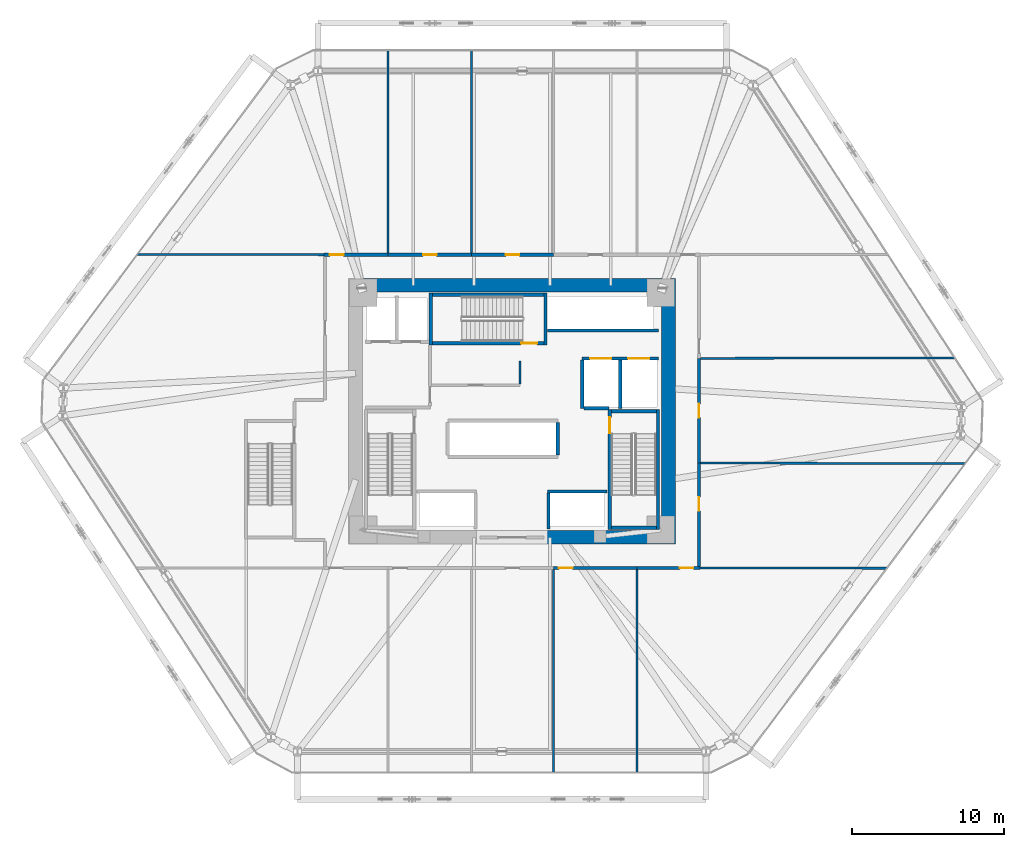
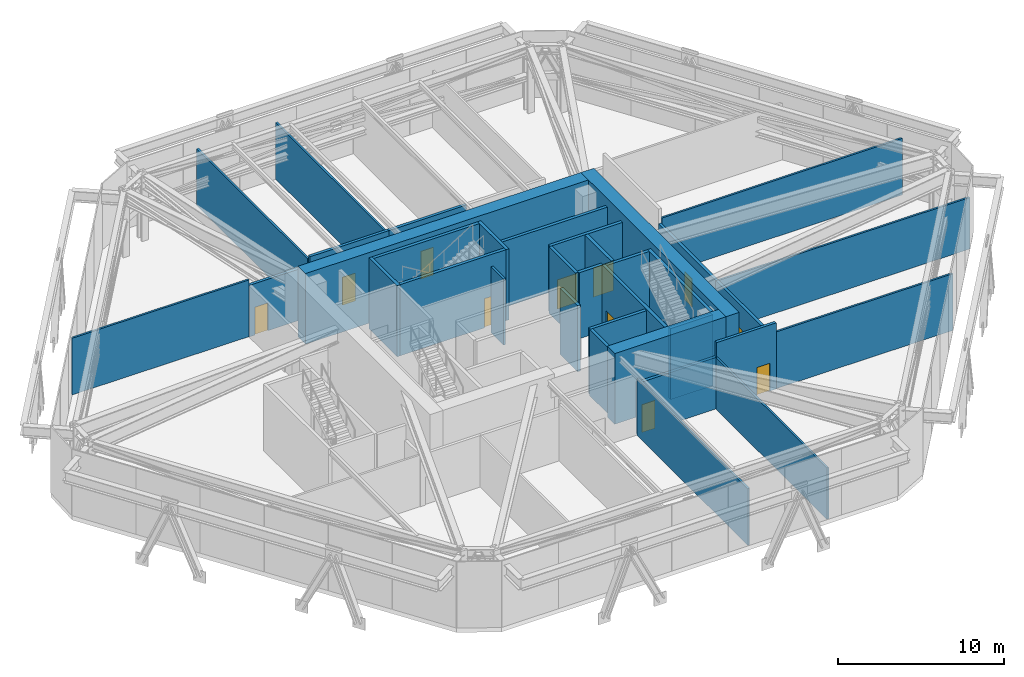
# One storey, part 14 of 16: 35 walls, 11 doors, 11 openings.
"""IFC4 building model written with IfcOpenShell, lengths in metres."""

from ifc_helpers import new_model, si_unit, direction, frame, frame_2d, origin, place, context, subcontext, project, spatial, rectangle, extrude, source, transform, mapped, material, layer, layer_set, type_object, type_shapes, element, fill, save


model = new_model("IFC4")

# Units and contexts
model_context = context("Model", 3, precision=1e-05, world=origin(), true_north=direction((0.0, 1.0)))
body_context = subcontext(model_context, "Body", "Model", "MODEL_VIEW")
ifc_project = project(units=[si_unit("LENGTHUNIT", "METRE"), si_unit("AREAUNIT", "SQUARE_METRE"), si_unit("VOLUMEUNIT", "CUBIC_METRE"), si_unit("PLANEANGLEUNIT", "RADIAN"), si_unit("MASSUNIT", "GRAM", prefix="KILO")], contexts=[model_context])

# Site, building, storey
site_placement = place(None, origin())
site = spatial("IfcSite", under=ifc_project, at=site_placement, CompositionType="ELEMENT")
building_placement = place(site_placement, origin())
building = spatial("IfcBuilding", under=site, at=building_placement, Name="Durnholm Broadcast Tower", CompositionType="ELEMENT")
storey_placement = place(building_placement, frame((0.0, 0.0, 10.39990234375)))
storey = spatial("IfcBuildingStorey", under=building, at=storey_placement, Name="L02", CompositionType="ELEMENT", Elevation=10.39990234375)

# Walls
ifc_material_1 = material(Name="Concrete C70/85", Category="concrete")
ifc_layer_1 = layer(ifc_material_1, 0.89990234375)
ifc_layer_set_1 = layer_set([ifc_layer_1], Name="Concrete C70/85")
wall_type_1 = type_object("IfcWallType", Name="WALL-CW-900", PredefinedType="SHEAR", material=ifc_layer_set_1)
wall_1_placement = place(storey_placement, frame((10.300048828125, -8.75, 0.0), z_axis=(0.0, 0.0, 1.0), x_axis=(0.0, 1.0, 0.0)))
element("IfcWall", 1, at=wall_1_placement, inside=storey, type_object=wall_type_1, Name="L02 central core shear wall CW-EAST", PredefinedType="SHEAR", context=body_context, shape_type="SweptSolid", body=[
    extrude(rectangle(XDim=17.5, YDim=0.89990234375, at=frame_2d((8.75, 0.0))), origin(), (0.0, 0.0, 1.0), 5.2001953125),
])
wall_2_placement = place(storey_placement, frame((2.10009765625, -8.300048828125, 0.0), z_axis=(0.0, 0.0, 1.0), x_axis=(1.0, 0.0, 0.0)))
element("IfcWall", 2, at=wall_2_placement, inside=storey, type_object=wall_type_1, Name="L02 central core shear wall CW-S2", PredefinedType="SHEAR", context=body_context, shape_type="SweptSolid", body=[
    extrude(rectangle(XDim=7.75, YDim=0.89990234375, at=frame_2d((3.875, 0.0))), origin(), (0.0, 0.0, 1.0), 5.2001953125),
])
wall_3_placement = place(storey_placement, frame((-9.85009765625, 8.300048828125, 0.0), z_axis=(0.0, 0.0, 1.0), x_axis=(1.0, 0.0, 0.0)))
element("IfcWall", 3, at=wall_3_placement, inside=storey, type_object=wall_type_1, Name="L02 central core shear wall CW-N", PredefinedType="SHEAR", context=body_context, shape_type="SweptSolid", body=[
    extrude(rectangle(XDim=19.7001953125, YDim=0.89990234375, at=frame_2d((9.85009765625, 0.0))), origin(), (0.0, 0.0, 1.0), 5.2001953125),
])

# Wall, opening, door
ifc_material_2 = material(Name="Fire-Rated Gypsum Shaftwall", Category="concrete")
ifc_layer_2 = layer(ifc_material_2, 0.199951171875)
ifc_layer_set_2 = layer_set([ifc_layer_2], Name="Fire-Rated Gypsum Shaftwall")
wall_type_2 = type_object("IfcWallType", Name="WALL-LOB-200", PredefinedType="SOLIDWALL", material=ifc_layer_set_2)
wall_4_placement = place(storey_placement, frame((-8.159912109375, 10.31005859375, 0.0), z_axis=(0.0, 0.0, 1.0), x_axis=(-1.0, 0.0, 0.0)))
wall_4 = element("IfcWall", 4, at=wall_4_placement, inside=storey, type_object=wall_type_2, Name="L02 Mechanical Plant Room - Chilled Water Heat Exchanger corridor partition", PredefinedType="SOLIDWALL", context=body_context, shape_type="SweptSolid", body=[
    extrude(rectangle(XDim=4.22998046875, YDim=0.199951171875, at=frame_2d((2.114990234375, 0.0))), origin(), (0.0, 0.0, 1.0), 3.787109375),
])
opening_1_placement = place(wall_4_placement, frame((2.929931640625, 0.0, 0.0)))
opening_1 = element("IfcOpeningElement", 5, at=opening_1_placement, cuts=wall_4, Name="Opening DC-60R", PredefinedType="OPENING", context=body_context, shape_type="SweptSolid", body=[
    extrude(rectangle(XDim=0.89990234375, YDim=2.050048828125, at=frame_2d((0.449951171875, 1.02490234375))), frame((0.0, 0.10986328125, 0.0), z_axis=(0.0, -1.0, 0.0), x_axis=(1.0, 0.0, 0.0)), (0.0, 0.0, 1.0), 0.219970703125),
])
ifc_material_3 = material(Name="Fire-Rated Core Service Door", Category="steel")
ifc_layer_3 = layer(ifc_material_3, 0.050048828125)
ifc_layer_set_3 = layer_set([ifc_layer_3], Name="Fire-Rated Core Service Door")
door_type_1 = type_object("IfcDoorType", Name="DOOR-CORE-FD60-R", OperationType="NOTDEFINED", PredefinedType="DOOR", material=ifc_layer_set_3)
shared_shape_1 = source(origin(), body_context, "Body", "SweptSolid", [
    extrude(rectangle(XDim=0.89990234375, YDim=2.050048828125, at=frame_2d((0.449951171875, 1.02490234375))), frame((0.0, 0.02490234375, 0.0), z_axis=(0.0, -1.0, 0.0), x_axis=(1.0, 0.0, 0.0)), (0.0, 0.0, 1.0), 0.050048828125),
])
type_shapes(door_type_1, [shared_shape_1])
door_1_placement = place(opening_1_placement, origin())
door_1 = element("IfcDoor", 6, at=door_1_placement, inside=storey, type_object=door_type_1, Name="L02 Mechanical Plant Room - Chilled Water Heat Exchanger entrance door", OperationType="SINGLE_SWING_RIGHT", OverallHeight=2.050048828125, OverallWidth=0.89990234375, PredefinedType="DOOR", context=body_context, shape_type="MappedRepresentation", body=[
    mapped(shared_shape_1, transform((0.0, 0.0, 0.0), x_axis=(1.0, 0.0, 0.0), y_axis=(0.0, 1.0, 0.0), z_axis=(0.0, 0.0, 1.0), scale=1.0)),
])
fill(opening_1, door_1)

wall_5_placement = place(storey_placement, frame((-2.659912109375, 10.31005859375, 0.0), z_axis=(0.0, 0.0, 1.0), x_axis=(-1.0, 0.0, 0.0)))
wall_5 = element("IfcWall", 7, at=wall_5_placement, inside=storey, type_object=wall_type_2, Name="L02 Mechanical Plant Room - Dedicated Outdoor Air Handling corridor partition", PredefinedType="SOLIDWALL", context=body_context, shape_type="SweptSolid", body=[
    extrude(rectangle(XDim=5.5, YDim=0.199951171875, at=frame_2d((2.75, 0.0))), origin(), (0.0, 0.0, 1.0), 4.417724609375),
])
opening_2_placement = place(wall_5_placement, frame((2.300048828125, 0.0, 0.0)))
opening_2 = element("IfcOpeningElement", 8, at=opening_2_placement, cuts=wall_5, Name="Opening DC-60L", PredefinedType="OPENING", context=body_context, shape_type="SweptSolid", body=[
    extrude(rectangle(XDim=0.89990234375, YDim=2.050048828125, at=frame_2d((0.449951171875, 1.02490234375))), frame((0.0, 0.10986328125, 0.0), z_axis=(0.0, -1.0, 0.0), x_axis=(1.0, 0.0, 0.0)), (0.0, 0.0, 1.0), 0.219970703125),
])
ifc_layer_4 = layer(ifc_material_3, 0.050048828125)
ifc_layer_set_4 = layer_set([ifc_layer_4], Name="Fire-Rated Core Service Door")
door_type_2 = type_object("IfcDoorType", Name="DOOR-CORE-FD60-L", OperationType="NOTDEFINED", PredefinedType="DOOR", material=ifc_layer_set_4)
shared_shape_2 = source(origin(), body_context, "Body", "SweptSolid", [
    extrude(rectangle(XDim=0.89990234375, YDim=2.050048828125, at=frame_2d((0.449951171875, 1.02490234375))), frame((0.0, 0.02490234375, 0.0), z_axis=(0.0, -1.0, 0.0), x_axis=(1.0, 0.0, 0.0)), (0.0, 0.0, 1.0), 0.050048828125),
])
type_shapes(door_type_2, [shared_shape_2])
door_2_placement = place(opening_2_placement, origin())
door_2 = element("IfcDoor", 9, at=door_2_placement, inside=storey, type_object=door_type_2, Name="L02 Mechanical Plant Room - Dedicated Outdoor Air Handling entrance door", OperationType="SINGLE_SWING_LEFT", OverallHeight=2.050048828125, OverallWidth=0.89990234375, PredefinedType="DOOR", context=body_context, shape_type="MappedRepresentation", body=[
    mapped(shared_shape_2, transform((0.0, 0.0, 0.0), x_axis=(1.0, 0.0, 0.0), y_axis=(0.0, 1.0, 0.0), z_axis=(0.0, 0.0, 1.0), scale=1.0)),
])
fill(opening_2, door_2)

wall_6_placement = place(storey_placement, frame((2.739990234375, 10.31005859375, 0.0), z_axis=(0.0, 0.0, 1.0), x_axis=(-1.0, 0.0, 0.0)))
wall_6 = element("IfcWall", 10, at=wall_6_placement, inside=storey, type_object=wall_type_2, Name="L02 Mechanical Plant Room - Condenser Water Pump Station corridor partition", PredefinedType="SOLIDWALL", context=body_context, shape_type="SweptSolid", body=[
    extrude(rectangle(XDim=5.39990234375, YDim=0.199951171875, at=frame_2d((2.699951171875, 0.0))), origin(), (0.0, 0.0, 1.0), 4.417724609375),
])
opening_3_placement = place(wall_6_placement, frame((2.25, 0.0, 0.0)))
opening_3 = element("IfcOpeningElement", 11, at=opening_3_placement, cuts=wall_6, Name="Opening DC-60R", PredefinedType="OPENING", context=body_context, shape_type="SweptSolid", body=[
    extrude(rectangle(XDim=0.89990234375, YDim=2.050048828125, at=frame_2d((0.449951171875, 1.02490234375))), frame((0.0, 0.10986328125, 0.0), z_axis=(0.0, -1.0, 0.0), x_axis=(1.0, 0.0, 0.0)), (0.0, 0.0, 1.0), 0.219970703125),
])
door_3_placement = place(opening_3_placement, origin())
door_3 = element("IfcDoor", 12, at=door_3_placement, inside=storey, type_object=door_type_1, Name="L02 Mechanical Plant Room - Condenser Water Pump Station entrance door", OperationType="SINGLE_SWING_RIGHT", OverallHeight=2.050048828125, OverallWidth=0.89990234375, PredefinedType="DOOR", context=body_context, shape_type="MappedRepresentation", body=[
    mapped(shared_shape_1, transform((0.0, 0.0, 0.0), x_axis=(1.0, 0.0, 0.0), y_axis=(0.0, 1.0, 0.0), z_axis=(0.0, 0.0, 1.0), scale=1.0)),
])
fill(opening_3, door_3)

wall_7_placement = place(storey_placement, frame((2.739990234375, -10.31005859375, 0.0), z_axis=(0.0, 0.0, 1.0), x_axis=(1.0, 0.0, 0.0)))
wall_7 = element("IfcWall", 13, at=wall_7_placement, inside=storey, type_object=wall_type_2, Name="L02 Mechanical Plant Room - Emergency Smoke Exhaust Fan corridor partition", PredefinedType="SOLIDWALL", context=body_context, shape_type="SweptSolid", body=[
    extrude(rectangle(XDim=5.5, YDim=0.199951171875, at=frame_2d((2.75, 0.0))), origin(), (0.0, 0.0, 1.0), 3.787109375),
])
opening_4_placement = place(wall_7_placement, frame((0.35009765625, 0.0, 0.0)))
opening_4 = element("IfcOpeningElement", 14, at=opening_4_placement, cuts=wall_7, Name="Opening DC-60R", PredefinedType="OPENING", context=body_context, shape_type="SweptSolid", body=[
    extrude(rectangle(XDim=0.89990234375, YDim=2.050048828125, at=frame_2d((0.449951171875, 1.02490234375))), frame((0.0, 0.10986328125, 0.0), z_axis=(0.0, -1.0, 0.0), x_axis=(1.0, 0.0, 0.0)), (0.0, 0.0, 1.0), 0.219970703125),
])
door_4_placement = place(opening_4_placement, origin())
door_4 = element("IfcDoor", 15, at=door_4_placement, inside=storey, type_object=door_type_1, Name="L02 Mechanical Plant Room - Emergency Smoke Exhaust Fan entrance door", OperationType="SINGLE_SWING_RIGHT", OverallHeight=2.050048828125, OverallWidth=0.89990234375, PredefinedType="DOOR", context=body_context, shape_type="MappedRepresentation", body=[
    mapped(shared_shape_1, transform((0.0, 0.0, 0.0), x_axis=(1.0, 0.0, 0.0), y_axis=(0.0, 1.0, 0.0), z_axis=(0.0, 0.0, 1.0), scale=1.0)),
])
fill(opening_4, door_4)

wall_8_placement = place(storey_placement, frame((8.239990234375, -10.31005859375, 0.0), z_axis=(0.0, 0.0, 1.0), x_axis=(1.0, 0.0, 0.0)))
wall_8 = element("IfcWall", 16, at=wall_8_placement, inside=storey, type_object=wall_type_2, Name="L02 Mechanical Plant Room - Fire Pump Control Plant corridor partition", PredefinedType="SOLIDWALL", context=body_context, shape_type="SweptSolid", body=[
    extrude(rectangle(XDim=4.14990234375, YDim=0.199951171875, at=frame_2d((2.074951171875, 0.0))), origin(), (0.0, 0.0, 1.0), 4.864990234375),
])
opening_5_placement = place(wall_8_placement, frame((2.81005859375, 0.0, 0.0)))
opening_5 = element("IfcOpeningElement", 17, at=opening_5_placement, cuts=wall_8, Name="Opening DC-60L", PredefinedType="OPENING", context=body_context, shape_type="SweptSolid", body=[
    extrude(rectangle(XDim=0.89990234375, YDim=2.050048828125, at=frame_2d((0.449951171875, 1.02490234375))), frame((0.0, 0.10986328125, 0.0), z_axis=(0.0, -1.0, 0.0), x_axis=(1.0, 0.0, 0.0)), (0.0, 0.0, 1.0), 0.219970703125),
])
door_5_placement = place(opening_5_placement, origin())
door_5 = element("IfcDoor", 18, at=door_5_placement, inside=storey, type_object=door_type_2, Name="L02 Mechanical Plant Room - Fire Pump Control Plant entrance door", OperationType="SINGLE_SWING_LEFT", OverallHeight=2.050048828125, OverallWidth=0.89990234375, PredefinedType="DOOR", context=body_context, shape_type="MappedRepresentation", body=[
    mapped(shared_shape_2, transform((0.0, 0.0, 0.0), x_axis=(1.0, 0.0, 0.0), y_axis=(0.0, 1.0, 0.0), z_axis=(0.0, 0.0, 1.0), scale=1.0)),
])
fill(opening_5, door_5)

wall_9_placement = place(storey_placement, frame((12.31005859375, -10.2060546875, 0.0), z_axis=(0.0, 0.0, 1.0), x_axis=(0.0, 1.0, 0.0)))
wall_9 = element("IfcWall", 19, at=wall_9_placement, inside=storey, type_object=wall_type_2, Name="L02 Mechanical Plant Room - East Switchgear Distribution corridor partition", PredefinedType="SOLIDWALL", context=body_context, shape_type="SweptSolid", body=[
    extrude(rectangle(XDim=6.796142578125, YDim=0.199951171875, at=frame_2d((3.39794921875, 0.0))), origin(), (0.0, 0.0, 1.0), 3.787109375),
])
opening_6_placement = place(wall_9_placement, frame((3.64990234375, 0.0, 0.0)))
opening_6 = element("IfcOpeningElement", 20, at=opening_6_placement, cuts=wall_9, Name="Opening DC-60R", PredefinedType="OPENING", context=body_context, shape_type="SweptSolid", body=[
    extrude(rectangle(XDim=0.89990234375, YDim=2.050048828125, at=frame_2d((0.449951171875, 1.02490234375))), frame((0.0, 0.10986328125, 0.0), z_axis=(0.0, -1.0, 0.0), x_axis=(1.0, 0.0, 0.0)), (0.0, 0.0, 1.0), 0.219970703125),
])
door_6_placement = place(opening_6_placement, origin())
door_6 = element("IfcDoor", 21, at=door_6_placement, inside=storey, type_object=door_type_1, Name="L02 Mechanical Plant Room - East Switchgear Distribution entrance door", OperationType="SINGLE_SWING_RIGHT", OverallHeight=2.050048828125, OverallWidth=0.89990234375, PredefinedType="DOOR", context=body_context, shape_type="MappedRepresentation", body=[
    mapped(shared_shape_1, transform((0.0, 0.0, 0.0), x_axis=(1.0, 0.0, 0.0), y_axis=(0.0, 1.0, 0.0), z_axis=(0.0, 0.0, 1.0), scale=1.0)),
])
fill(opening_6, door_6)

wall_10_placement = place(storey_placement, frame((12.31005859375, -3.409912109375, 0.0), z_axis=(0.0, 0.0, 1.0), x_axis=(0.0, 1.0, 0.0)))
wall_10 = element("IfcWall", 22, at=wall_10_placement, inside=storey, type_object=wall_type_2, Name="L02 Mechanical Plant Room - Telecom Cooling Plant corridor partition", PredefinedType="SOLIDWALL", context=body_context, shape_type="SweptSolid", body=[
    extrude(rectangle(XDim=6.89990234375, YDim=0.199951171875, at=frame_2d((3.449951171875, 0.0))), origin(), (0.0, 0.0, 1.0), 3.787109375),
])
opening_7_placement = place(wall_10_placement, frame((3.0, 0.0, 0.0)))
opening_7 = element("IfcOpeningElement", 23, at=opening_7_placement, cuts=wall_10, Name="Opening DC-60L", PredefinedType="OPENING", context=body_context, shape_type="SweptSolid", body=[
    extrude(rectangle(XDim=0.89990234375, YDim=2.050048828125, at=frame_2d((0.449951171875, 1.02490234375))), frame((0.0, 0.10986328125, 0.0), z_axis=(0.0, -1.0, 0.0), x_axis=(1.0, 0.0, 0.0)), (0.0, 0.0, 1.0), 0.219970703125),
])
door_7_placement = place(opening_7_placement, origin())
door_7 = element("IfcDoor", 24, at=door_7_placement, inside=storey, type_object=door_type_2, Name="L02 Mechanical Plant Room - Telecom Cooling Plant entrance door", OperationType="SINGLE_SWING_LEFT", OverallHeight=2.050048828125, OverallWidth=0.89990234375, PredefinedType="DOOR", context=body_context, shape_type="MappedRepresentation", body=[
    mapped(shared_shape_2, transform((0.0, 0.0, 0.0), x_axis=(1.0, 0.0, 0.0), y_axis=(0.0, 1.0, 0.0), z_axis=(0.0, 0.0, 1.0), scale=1.0)),
])
fill(opening_7, door_7)

# Walls
ifc_material_4 = material(Name="Gypsum Metal Stud Partition", Category="concrete")
ifc_layer_5 = layer(ifc_material_4, 0.135009765625)
ifc_layer_set_5 = layer_set([ifc_layer_5], Name="Gypsum Metal Stud Partition")
wall_type_3 = type_object("IfcWallType", Name="WALL-PART-135", PredefinedType="PARTITIONING", material=ifc_layer_set_5)
wall_11_placement = place(storey_placement, frame((-8.159912109375, 23.800048828125, 0.0), z_axis=(0.0, 0.0, 1.0), x_axis=(0.0, -1.0, 0.0)))
element("IfcWall", 25, at=wall_11_placement, inside=storey, type_object=wall_type_3, Name="L02 room dividing partition 2.3", PredefinedType="PARTITIONING", context=body_context, shape_type="SweptSolid", body=[
    extrude(rectangle(XDim=13.385986328125, YDim=0.135009765625, at=frame_2d((6.69287109375, 0.0))), origin(), (0.0, 0.0, 1.0), 4.174072265625),
])
wall_12_placement = place(storey_placement, frame((-12.389892578125, 10.310302734375, 0.0), z_axis=(0.0, 0.0, 1.0), x_axis=(-0.999998146559, 0.001925325425, 0.0)))
element("IfcWall", 26, at=wall_12_placement, inside=storey, type_object=wall_type_3, Name="L02 room dividing partition 2.15", PredefinedType="PARTITIONING", context=body_context, shape_type="SweptSolid", body=[
    extrude(rectangle(XDim=12.300048828125, YDim=0.135009765625, at=frame_2d((6.14990234375, 0.0))), origin(), (0.0, 0.0, 1.0), 4.174072265625),
])
for number, where, z_axis, x_axis, name in (
    (27, (-2.659912109375, 23.800048828125, 0.0), (0.0, 0.0, 1.0), (0.0, -1.0, 0.0), "L02 room dividing partition 3.4"),
    (28, (2.739990234375, -10.4140625, 0.0), (0.0, 0.0, 1.0), (0.0, -1.0, 0.0), "L02 room dividing partition 9.10"),
):
    element("IfcWall", number, at=place(storey_placement, frame(where, z_axis=z_axis, x_axis=x_axis)), inside=storey, type_object=wall_type_3, Name=name, PredefinedType="PARTITIONING", context=body_context, shape_type="SweptSolid", body=[
        extrude(rectangle(XDim=13.385986328125, YDim=0.135009765625, at=frame_2d((6.69287109375, 0.0))), origin(), (0.0, 0.0, 1.0), 4.174072265625),
    ])
wall_13_placement = place(storey_placement, frame((8.239990234375, -10.4140625, 0.0), z_axis=(0.0, 0.0, 1.0), x_axis=(0.0, -1.0, 0.0)))
element("IfcWall", 29, at=wall_13_placement, inside=storey, type_object=wall_type_3, Name="L02 room dividing partition 10.11", PredefinedType="PARTITIONING", context=body_context, shape_type="SweptSolid", body=[
    extrude(rectangle(XDim=13.385986328125, YDim=0.135009765625, at=frame_2d((6.69287109375, 0.0))), origin(), (0.0, 0.0, 1.0), 3.787109375),
])
wall_14_placement = place(storey_placement, frame((12.389892578125, -10.310302734375, 0.0), z_axis=(0.0, 0.0, 1.0), x_axis=(0.999998146559, -0.001925325425, 0.0)))
element("IfcWall", 30, at=wall_14_placement, inside=storey, type_object=wall_type_3, Name="L02 room dividing partition 11.12", PredefinedType="PARTITIONING", context=body_context, shape_type="SweptSolid", body=[
    extrude(rectangle(XDim=12.300048828125, YDim=0.135009765625, at=frame_2d((6.14990234375, 0.0))), origin(), (0.0, 0.0, 1.0), 4.174072265625),
])
wall_15_placement = place(storey_placement, frame((12.4140625, -3.41015625, 0.0), z_axis=(0.0, 0.0, 1.0), x_axis=(0.999999078008, -0.001357933567, 0.0)))
element("IfcWall", 31, at=wall_15_placement, inside=storey, type_object=wall_type_3, Name="L02 room dividing partition 12.13", PredefinedType="PARTITIONING", context=body_context, shape_type="SweptSolid", body=[
    extrude(rectangle(XDim=17.439453125, YDim=0.135009765625, at=frame_2d((8.7197265625, 0.0))), origin(), (0.0, 0.0, 1.0), 3.787109375),
])
wall_16_placement = place(storey_placement, frame((12.4140625, 3.489990234375, 0.0), z_axis=(0.0, 0.0, 1.0), x_axis=(0.999999159095, 0.001296845678, 0.0)))
element("IfcWall", 32, at=wall_16_placement, inside=storey, type_object=wall_type_3, Name="L02 room dividing partition 13.14", PredefinedType="PARTITIONING", context=body_context, shape_type="SweptSolid", body=[
    extrude(rectangle(XDim=16.7548828125, YDim=0.135009765625, at=frame_2d((8.37744140625, 0.0))), origin(), (0.0, 0.0, 1.0), 4.174072265625),
])
ifc_material_5 = material(Name="Acoustic Gypsum Stud Partition", Category="concrete")
ifc_layer_6 = layer(ifc_material_5, 0.14990234375)
ifc_layer_set_6 = layer_set([ifc_layer_6], Name="Acoustic Gypsum Stud Partition")
wall_type_4 = type_object("IfcWallType", Name="WALL-PART-150", PredefinedType="PARTITIONING", material=ifc_layer_set_6)
wall_17_placement = place(storey_placement, frame((0.52001953125, 3.300048828125, 0.0), z_axis=(0.0, 0.0, 1.0), x_axis=(0.0, -1.0, 0.0)))
element("IfcWall", 33, at=wall_17_placement, inside=storey, type_object=wall_type_4, Name="L02 Core Housekeeping Room corridor partition", PredefinedType="PARTITIONING", context=body_context, shape_type="SweptSolid", body=[
    extrude(rectangle(XDim=1.510986328125, YDim=0.14990234375, at=frame_2d((0.75537109375, 0.0))), origin(), (0.0, 0.0, 1.0), 4.864990234375),
])

# Wall, openings, doors
ifc_material_6 = material(Name="Concrete Blockwork C30/37", Category="masonry")
ifc_layer_7 = layer(ifc_material_6, 0.219970703125)
ifc_layer_set_7 = layer_set([ifc_layer_7], Name="Concrete Blockwork C30/37")
wall_type_5 = type_object("IfcWallType", Name="WALL-SHAFT-220", PredefinedType="SOLIDWALL", material=ifc_layer_set_7)
wall_18_placement = place(storey_placement, frame((4.60009765625, 3.47998046875, 0.0), z_axis=(0.0, 0.0, 1.0), x_axis=(1.0, 0.0, 0.0)))
wall_18 = element("IfcWall", 34, at=wall_18_placement, inside=storey, type_object=wall_type_5, Name="L02 freight service lifts north front wall", PredefinedType="SOLIDWALL", context=body_context, shape_type="SweptSolid", body=[
    extrude(rectangle(XDim=5.0498046875, YDim=0.219970703125, at=frame_2d((2.52490234375, 0.0))), origin(), (0.0, 0.0, 1.0), 4.864990234375),
])
opening_8_placement = place(wall_18_placement, frame((0.550048828125, 0.0, 0.0)))
opening_8 = element("IfcOpeningElement", 35, at=opening_8_placement, cuts=wall_18, Name="Opening LD-SVL-2", PredefinedType="OPENING", context=body_context, shape_type="SweptSolid", body=[
    extrude(rectangle(XDim=1.39990234375, YDim=2.14990234375, at=frame_2d((0.699951171875, 1.074951171875))), frame((0.0, 0.1201171875, 0.0), z_axis=(0.0, -1.0, 0.0), x_axis=(1.0, 0.0, 0.0)), (0.0, 0.0, 1.0), 0.239990234375),
])
opening_9_placement = place(wall_18_placement, frame((3.050048828125, 0.0, 0.0)))
opening_9 = element("IfcOpeningElement", 36, at=opening_9_placement, cuts=wall_18, Name="Opening LD-SVL-1", PredefinedType="OPENING", context=body_context, shape_type="SweptSolid", body=[
    extrude(rectangle(XDim=1.39990234375, YDim=2.14990234375, at=frame_2d((0.699951171875, 1.074951171875))), frame((0.0, 0.1201171875, 0.0), z_axis=(0.0, -1.0, 0.0), x_axis=(1.0, 0.0, 0.0)), (0.0, 0.0, 1.0), 0.239990234375),
])
ifc_material_7 = material(Name="Freight Elevator Bi-Parting Sliding Landing Door", Category="steel")
ifc_layer_8 = layer(ifc_material_7, 0.050048828125)
ifc_layer_set_8 = layer_set([ifc_layer_8], Name="Freight Elevator Bi-Parting Sliding Landing Door")
door_type_3 = type_object("IfcDoorType", Name="DOOR-LIFT-SVL", OperationType="DOUBLE_DOOR_SLIDING", PredefinedType="DOOR", material=ifc_layer_set_8)
shared_shape_3 = source(origin(), body_context, "Body", "SweptSolid", [
    extrude(rectangle(XDim=1.39990234375, YDim=2.14990234375, at=frame_2d((0.699951171875, 1.074951171875))), frame((0.0, 0.02490234375, 0.0), z_axis=(0.0, -1.0, 0.0), x_axis=(1.0, 0.0, 0.0)), (0.0, 0.0, 1.0), 0.050048828125),
])
type_shapes(door_type_3, [shared_shape_3])
door_8_placement = place(opening_8_placement, origin())
door_8 = element("IfcDoor", 37, at=door_8_placement, inside=storey, type_object=door_type_3, Name="L02 freight service elevator SVL-2 sliding landing door", OperationType="DOUBLE_DOOR_SLIDING", OverallHeight=2.14990234375, OverallWidth=1.39990234375, PredefinedType="DOOR", context=body_context, shape_type="MappedRepresentation", body=[
    mapped(shared_shape_3, transform((0.0, 0.0, 0.0), x_axis=(1.0, 0.0, 0.0), y_axis=(0.0, 1.0, 0.0), z_axis=(0.0, 0.0, 1.0), scale=1.0)),
])
fill(opening_8, door_8)
door_9_placement = place(opening_9_placement, origin())
door_9 = element("IfcDoor", 38, at=door_9_placement, inside=storey, type_object=door_type_3, Name="L02 freight service elevator SVL-1 sliding landing door", OperationType="DOUBLE_DOOR_SLIDING", OverallHeight=2.14990234375, OverallWidth=1.39990234375, PredefinedType="DOOR", context=body_context, shape_type="MappedRepresentation", body=[
    mapped(shared_shape_3, transform((0.0, 0.0, 0.0), x_axis=(1.0, 0.0, 0.0), y_axis=(0.0, 1.0, 0.0), z_axis=(0.0, 0.0, 1.0), scale=1.0)),
])
fill(opening_9, door_9)

# Walls
for number, where, z_axis, x_axis, name in (
    (39, (4.6201171875, 0.179931640625, 0.0), (0.0, 0.0, 1.0), (0.0, 1.0, 0.0), "L02 freight service lift SVL-2 west wall"),
    (40, (7.1201171875, 0.179931640625, 0.0), (0.0, 0.0, 1.0), (0.0, 1.0, 0.0), "L02 freight service lifts divider wall"),
):
    element("IfcWall", number, at=place(storey_placement, frame(where, z_axis=z_axis, x_axis=x_axis)), inside=storey, type_object=wall_type_5, Name=name, PredefinedType="SOLIDWALL", context=body_context, shape_type="SweptSolid", body=[
        extrude(rectangle(XDim=3.18603515625, YDim=0.219970703125, at=frame_2d((1.593017578125, 0.0))), origin(), (0.0, 0.0, 1.0), 4.864990234375),
    ])
wall_19_placement = place(storey_placement, frame((4.73388671875, 0.199951171875, 0.0), z_axis=(0.0, 0.0, 1.0), x_axis=(1.0, 0.0, 0.0)))
element("IfcWall", 41, at=wall_19_placement, inside=storey, type_object=wall_type_5, Name="L02 freight service lift SVL-2 south wall", PredefinedType="SOLIDWALL", context=body_context, shape_type="SweptSolid", body=[
    extrude(rectangle(XDim=1.666015625, YDim=0.219970703125, at=frame_2d((0.8330078125, 0.0))), origin(), (0.0, 0.0, 1.0), 4.864990234375),
])
wall_20_placement = place(storey_placement, frame((2.35009765625, -5.280029296875, 0.0), z_axis=(0.0, 0.0, 1.0), x_axis=(1.0, 0.0, 0.0)))
element("IfcWall", 42, at=wall_20_placement, inside=storey, type_object=wall_type_5, Name="L02 low-rise bank P1 east front wall", PredefinedType="SOLIDWALL", context=body_context, shape_type="SweptSolid", body=[
    extrude(rectangle(XDim=3.89990234375, YDim=0.219970703125, at=frame_2d((1.949951171875, 0.0))), origin(), (0.0, 0.0, 1.0), 4.864990234375),
])
wall_21_placement = place(storey_placement, frame((2.39990234375, -7.75, 0.0), z_axis=(0.0, 0.0, 1.0), x_axis=(0.0, 1.0, 0.0)))
element("IfcWall", 43, at=wall_21_placement, inside=storey, type_object=wall_type_5, Name="L02 low-rise bank P1 east mouth wall", PredefinedType="SOLIDWALL", context=body_context, shape_type="SweptSolid", body=[
    extrude(rectangle(XDim=2.35595703125, YDim=0.219970703125, at=frame_2d((1.177978515625, 0.0))), origin(), (0.0, 0.0, 1.0), 4.864990234375),
])
wall_22_placement = place(storey_placement, frame((3.02001953125, -2.865966796875, 0.0), z_axis=(0.0, 0.0, 1.0), x_axis=(0.0, 1.0, 0.0)))
element("IfcWall", 44, at=wall_22_placement, inside=storey, type_object=wall_type_5, Name="L02 mid-rise bank P2 east shaft wall", PredefinedType="SOLIDWALL", context=body_context, shape_type="SweptSolid", body=[
    extrude(rectangle(XDim=2.132080078125, YDim=0.219970703125, at=frame_2d((1.06591796875, 0.0))), origin(), (0.0, 0.0, 1.0), 4.864990234375),
])
wall_23_placement = place(storey_placement, frame((2.324951171875, 5.320068359375, 0.0), z_axis=(0.0, 0.0, 1.0), x_axis=(1.0, 0.0, 0.0)))
element("IfcWall", 45, at=wall_23_placement, inside=storey, type_object=wall_type_5, Name="L02 high-rise bank P3 south front wall", PredefinedType="SOLIDWALL", context=body_context, shape_type="SweptSolid", body=[
    extrude(rectangle(XDim=7.324951171875, YDim=0.219970703125, at=frame_2d((3.66259765625, 0.0))), origin(), (0.0, 0.0, 1.0), 4.864990234375),
])
ifc_material_8 = material(Name="Concrete C50/60", Category="concrete")
ifc_layer_9 = layer(ifc_material_8, 0.219970703125)
ifc_layer_set_9 = layer_set([ifc_layer_9], Name="Concrete C50/60")
wall_type_6 = type_object("IfcWallType", Name="WALL-SW-220", PredefinedType="SHEAR", material=ifc_layer_set_9)
wall_24_placement = place(storey_placement, frame((9.610107421875, -7.77001953125, -0.349853515625), z_axis=(0.0, 0.0, 1.0), x_axis=(0.0, 1.0, 0.0)))
element("IfcWall", 46, at=wall_24_placement, inside=storey, type_object=wall_type_6, Name="L02 stair ST-2 structural shaft wall E", PredefinedType="SHEAR", context=body_context, shape_type="SweptSolid", body=[
    extrude(rectangle(XDim=7.89013671875, YDim=0.219970703125, at=frame_2d((3.945068359375, 0.0))), origin(), (0.0, 0.0, 1.0), 5.22998046875),
])

# Wall, opening, door
wall_25_placement = place(storey_placement, frame((6.429931640625, 0.1201171875, -0.349853515625), z_axis=(0.0, 0.0, 1.0), x_axis=(0.0, -1.0, 0.0)))
wall_25 = element("IfcWall", 47, at=wall_25_placement, inside=storey, type_object=wall_type_6, Name="L02 stair ST-2 structural shaft wall W", PredefinedType="SHEAR", context=body_context, shape_type="SweptSolid", body=[
    extrude(rectangle(XDim=7.89013671875, YDim=0.219970703125, at=frame_2d((3.945068359375, 0.0))), origin(), (0.0, 0.0, 1.0), 5.22998046875),
])
opening_10_placement = place(wall_25_placement, frame((0.52001953125, 0.0, 0.0)))
opening_10 = element("IfcOpeningElement", 48, at=opening_10_placement, cuts=wall_25, Name="Opening DS-90R", PredefinedType="OPENING", context=body_context, shape_type="SweptSolid", body=[
    extrude(rectangle(XDim=1.050048828125, YDim=2.14990234375, at=frame_2d((0.52490234375, 1.074951171875))), frame((0.0, 0.1201171875, 0.0), z_axis=(0.0, -1.0, 0.0), x_axis=(1.0, 0.0, 0.0)), (0.0, 0.0, 1.0), 0.239990234375),
])
ifc_material_9 = material(Name="Fire-Rated Steel Door", Category="steel")
ifc_layer_10 = layer(ifc_material_9, 0.050048828125)
ifc_layer_set_10 = layer_set([ifc_layer_10], Name="Fire-Rated Steel Door")
door_type_4 = type_object("IfcDoorType", Name="DOOR-ST-FD90-R", OperationType="NOTDEFINED", PredefinedType="DOOR", material=ifc_layer_set_10)
shared_shape_4 = source(origin(), body_context, "Body", "SweptSolid", [
    extrude(rectangle(XDim=1.050048828125, YDim=2.14990234375, at=frame_2d((0.52490234375, 1.074951171875))), frame((0.0, 0.02490234375, 0.0), z_axis=(0.0, -1.0, 0.0), x_axis=(1.0, 0.0, 0.0)), (0.0, 0.0, 1.0), 0.050048828125),
])
type_shapes(door_type_4, [shared_shape_4])
door_10_placement = place(opening_10_placement, origin())
door_10 = element("IfcDoor", 49, at=door_10_placement, inside=storey, type_object=door_type_4, Name="L02 exit stair ST-2 fire door", OperationType="SINGLE_SWING_RIGHT", OverallHeight=2.14990234375, OverallWidth=1.050048828125, PredefinedType="DOOR", context=body_context, shape_type="MappedRepresentation", body=[
    mapped(shared_shape_4, transform((0.0, 0.0, 0.0), x_axis=(1.0, 0.0, 0.0), y_axis=(0.0, 1.0, 0.0), z_axis=(0.0, 0.0, 1.0), scale=1.0)),
])
fill(opening_10, door_10)

# Walls
for number, where, z_axis, x_axis, name in (
    (50, (6.5400390625, -7.659912109375, -0.349853515625), (0.0, 0.0, 1.0), (1.0, 0.0, 0.0), "L02 stair ST-2 structural shaft wall S"),
    (51, (9.5, 0.010009765625, -0.349853515625), (0.0, 0.0, 1.0), (-1.0, 0.0, 0.0), "L02 stair ST-2 structural shaft wall N"),
):
    element("IfcWall", number, at=place(storey_placement, frame(where, z_axis=z_axis, x_axis=x_axis)), inside=storey, type_object=wall_type_6, Name=name, PredefinedType="SHEAR", context=body_context, shape_type="SweptSolid", body=[
        extrude(rectangle(XDim=2.9599609375, YDim=0.219970703125, at=frame_2d((1.47998046875, 0.0))), origin(), (0.0, 0.0, 1.0), 5.22998046875),
    ])
for number, where, z_axis, x_axis, name in (
    (52, (2.2099609375, 4.3798828125, -0.349853515625), (0.0, 0.0, 1.0), (0.0, 1.0, 0.0), "L02 stair ST-3 structural shaft wall E"),
    (53, (-5.360107421875, 7.780029296875, -0.349853515625), (0.0, 0.0, 1.0), (0.0, -1.0, 0.0), "L02 stair ST-3 structural shaft wall W"),
):
    element("IfcWall", number, at=place(storey_placement, frame(where, z_axis=z_axis, x_axis=x_axis)), inside=storey, type_object=wall_type_6, Name=name, PredefinedType="SHEAR", context=body_context, shape_type="SweptSolid", body=[
        extrude(rectangle(XDim=3.400146484375, YDim=0.219970703125, at=frame_2d((1.7001953125, 0.0))), origin(), (0.0, 0.0, 1.0), 5.22998046875),
    ])

# Wall, opening, door
wall_26_placement = place(storey_placement, frame((-5.25, 4.489990234375, -0.349853515625), z_axis=(0.0, 0.0, 1.0), x_axis=(1.0, 0.0, 0.0)))
wall_26 = element("IfcWall", 54, at=wall_26_placement, inside=storey, type_object=wall_type_6, Name="L02 stair ST-3 structural shaft wall S", PredefinedType="SHEAR", context=body_context, shape_type="SweptSolid", body=[
    extrude(rectangle(XDim=7.35009765625, YDim=0.219970703125, at=frame_2d((3.675048828125, 0.0))), origin(), (0.0, 0.0, 1.0), 5.22998046875),
])
opening_11_placement = place(wall_26_placement, frame((5.85009765625, 0.0, 0.0)))
opening_11 = element("IfcOpeningElement", 55, at=opening_11_placement, cuts=wall_26, Name="Opening DS-90L", PredefinedType="OPENING", context=body_context, shape_type="SweptSolid", body=[
    extrude(rectangle(XDim=1.050048828125, YDim=2.14990234375, at=frame_2d((0.52490234375, 1.074951171875))), frame((0.0, 0.1201171875, 0.0), z_axis=(0.0, -1.0, 0.0), x_axis=(1.0, 0.0, 0.0)), (0.0, 0.0, 1.0), 0.239990234375),
])
ifc_layer_11 = layer(ifc_material_9, 0.050048828125)
ifc_layer_set_11 = layer_set([ifc_layer_11], Name="Fire-Rated Steel Door")
door_type_5 = type_object("IfcDoorType", Name="DOOR-ST-FD90-L", OperationType="NOTDEFINED", PredefinedType="DOOR", material=ifc_layer_set_11)
shared_shape_5 = source(origin(), body_context, "Body", "SweptSolid", [
    extrude(rectangle(XDim=1.050048828125, YDim=2.14990234375, at=frame_2d((0.52490234375, 1.074951171875))), frame((0.0, 0.02490234375, 0.0), z_axis=(0.0, -1.0, 0.0), x_axis=(1.0, 0.0, 0.0)), (0.0, 0.0, 1.0), 0.050048828125),
])
type_shapes(door_type_5, [shared_shape_5])
door_11_placement = place(opening_11_placement, origin())
door_11 = element("IfcDoor", 56, at=door_11_placement, inside=storey, type_object=door_type_5, Name="L02 exit stair ST-3 fire door", OperationType="SINGLE_SWING_LEFT", OverallHeight=2.14990234375, OverallWidth=1.050048828125, PredefinedType="DOOR", context=body_context, shape_type="MappedRepresentation", body=[
    mapped(shared_shape_5, transform((0.0, 0.0, 0.0), x_axis=(1.0, 0.0, 0.0), y_axis=(0.0, 1.0, 0.0), z_axis=(0.0, 0.0, 1.0), scale=1.0)),
])
fill(opening_11, door_11)

# Wall
wall_27_placement = place(storey_placement, frame((2.10009765625, 7.669921875, -0.349853515625), z_axis=(0.0, 0.0, 1.0), x_axis=(-1.0, 0.0, 0.0)))
element("IfcWall", 57, at=wall_27_placement, inside=storey, type_object=wall_type_6, Name="L02 stair ST-3 structural shaft wall N", PredefinedType="SHEAR", context=body_context, shape_type="SweptSolid", body=[
    extrude(rectangle(XDim=7.35009765625, YDim=0.219970703125, at=frame_2d((3.675048828125, 0.0))), origin(), (0.0, 0.0, 1.0), 5.22998046875),
])

save(model, "model.ifc")
